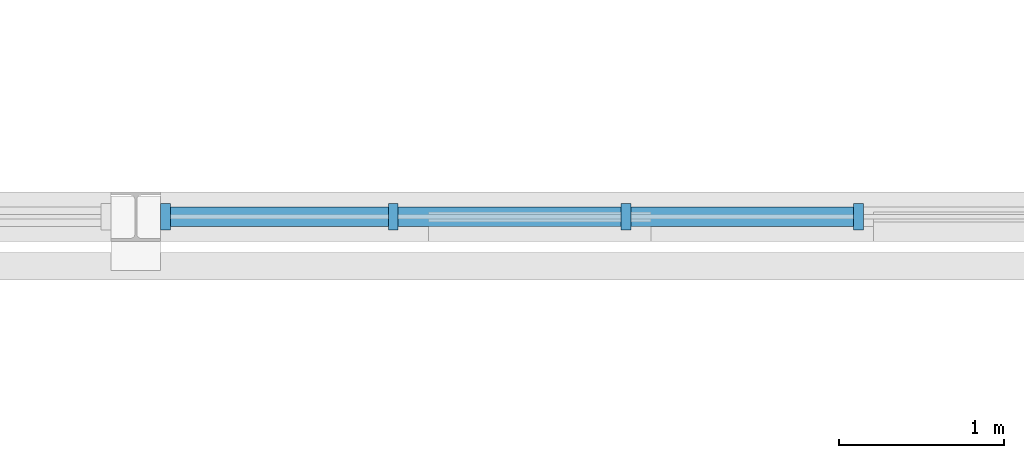
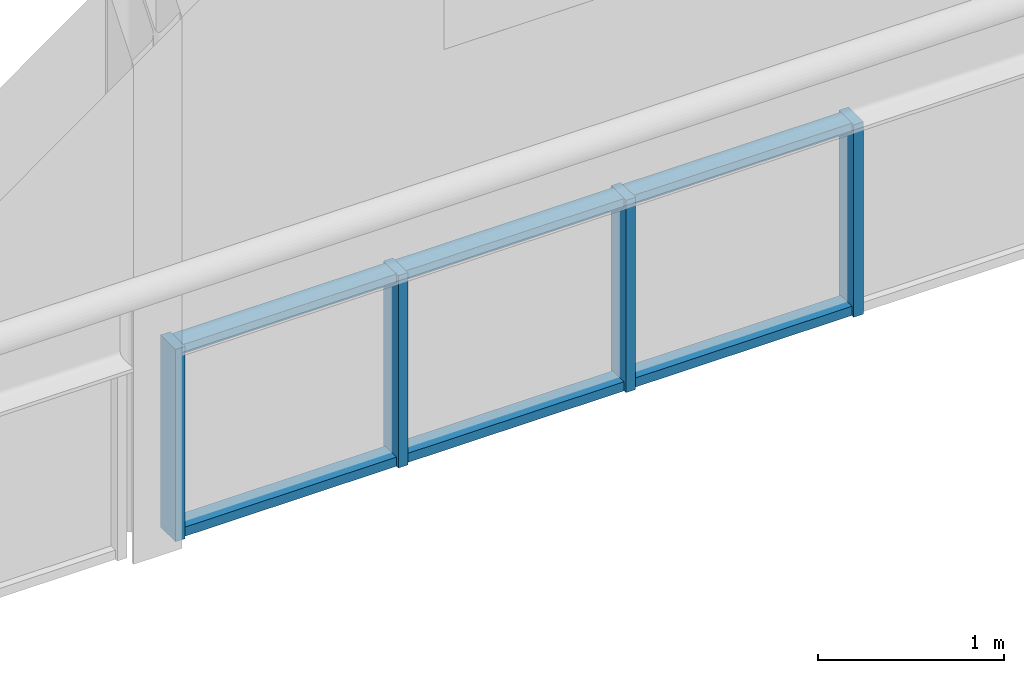
# One storey, part 12 of 65: 10 members, 1 element without a shape of its own.
"""IFC4 building model written with IfcOpenShell, lengths in metres."""

from ifc_helpers import new_model, si_unit, direction, frame, origin, origin_2d, place, context, subcontext, project, spatial, rectangle, extrude, material, material_profile, profile_set, type_object, element, aggregate, save


model = new_model("IFC4")

# Units and contexts
model_context = context("Model", 3, precision=1e-05, world=origin(), true_north=direction((0.0, 1.0)))
body_context = subcontext(model_context, "Body", "Model", "MODEL_VIEW")
ifc_project = project(units=[si_unit("LENGTHUNIT", "METRE"), si_unit("AREAUNIT", "SQUARE_METRE"), si_unit("VOLUMEUNIT", "CUBIC_METRE"), si_unit("PLANEANGLEUNIT", "RADIAN"), si_unit("MASSUNIT", "GRAM", prefix="KILO")], contexts=[model_context])

# Site, building, storey
site_placement = place(None, origin())
site = spatial("IfcSite", under=ifc_project, at=site_placement, CompositionType="ELEMENT")
building_placement = place(site_placement, origin())
building = spatial("IfcBuilding", under=site, at=building_placement, Name="Elbe Cascade School", CompositionType="ELEMENT")
storey_placement = place(building_placement, frame((0.0, 0.0, 11.699951171875)))
storey = spatial("IfcBuildingStorey", under=building, at=storey_placement, Name="L03", CompositionType="ELEMENT", Elevation=11.699951171875)

# Curtain wall, members
ifc_material_1 = material(Name="Glass - double glazed low-E", Category="glass")
curtain_wall_type = type_object("IfcCurtainWallType", Name="Hall gable curtain wall", PredefinedType="NOTDEFINED", material=ifc_material_1)
curtain_wall_placement = place(storey_placement, origin())
curtain_wall = element("IfcCurtainWall", 1, at=curtain_wall_placement, inside=storey, type_object=curtain_wall_type, Name="Gable curtain wall S3", PredefinedType="NOTDEFINED")
ifc_material_2 = material(Name="Aluminium - bronze anodised", Category="aluminium")
ifc_material_profile_1 = material_profile(ifc_material_2, rectangle(XDim=0.159912109375, YDim=0.06005859375, at=origin_2d()), Name="Alu 60x160")
ifc_profile_set_1 = profile_set([ifc_material_profile_1], Name="Aluminium - bronze anodised")
member_type_1 = type_object("IfcMemberType", Name="Hall gable mullion 60x160", PredefinedType="MULLION", material=ifc_profile_set_1)
member_1_placement = place(storey_placement, frame((34.179931640625, 41.300048828125, 0.0), z_axis=(0.0, 0.0, 1.0), x_axis=(0.0, 1.0, 0.0)))
member_1 = element("IfcMember", 2, at=member_1_placement, type_object=member_type_1, Name="CW6 mullion 1", PredefinedType="MULLION", context=body_context, shape_type="SweptSolid", body=[
    extrude(rectangle(XDim=0.159912109375, YDim=0.06005859375, at=origin_2d()), origin(), (0.0, 0.0, 1.0), 1.260009765625),
])
member_2_placement = place(storey_placement, frame((35.56103515625, 41.300048828125, 0.0), z_axis=(0.0, 0.0, 1.0), x_axis=(0.0, 1.0, 0.0)))
member_2 = element("IfcMember", 3, at=member_2_placement, type_object=member_type_1, Name="CW6 mullion 2", PredefinedType="MULLION", context=body_context, shape_type="SweptSolid", body=[
    extrude(rectangle(XDim=0.159912109375, YDim=0.06005859375, at=origin_2d()), origin(), (0.0, 0.0, 1.0), 1.260009765625),
])
member_3_placement = place(storey_placement, frame((36.97216796875, 41.300048828125, 0.0), z_axis=(0.0, 0.0, 1.0), x_axis=(0.0, 1.0, 0.0)))
member_3 = element("IfcMember", 4, at=member_3_placement, type_object=member_type_1, Name="CW6 mullion 3", PredefinedType="MULLION", context=body_context, shape_type="SweptSolid", body=[
    extrude(rectangle(XDim=0.159912109375, YDim=0.06005859375, at=origin_2d()), origin(), (0.0, 0.0, 1.0), 1.260009765625),
])
member_4_placement = place(storey_placement, frame((38.38330078125, 41.300048828125, 0.0), z_axis=(0.0, 0.0, 1.0), x_axis=(0.0, 1.0, 0.0)))
member_4 = element("IfcMember", 5, at=member_4_placement, type_object=member_type_1, Name="CW6 mullion 4", PredefinedType="MULLION", context=body_context, shape_type="SweptSolid", body=[
    extrude(rectangle(XDim=0.159912109375, YDim=0.06005859375, at=origin_2d()), origin(), (0.0, 0.0, 1.0), 1.260009765625),
])
ifc_material_3 = material(Name="Aluminium - bronze anodised", Category="aluminium")
ifc_material_profile_2 = material_profile(ifc_material_3, rectangle(XDim=0.1201171875, YDim=0.06005859375, at=origin_2d()), Name="Alu 60x120")
ifc_profile_set_2 = profile_set([ifc_material_profile_2], Name="Aluminium - bronze anodised")
member_type_2 = type_object("IfcMemberType", Name="Hall gable transom 60x120", PredefinedType="USERDEFINED", material=ifc_profile_set_2)
member_5_placement = place(storey_placement, frame((34.2099609375, 41.300048828125, 0.030029296875), z_axis=(1.0, 0.0, 0.0), x_axis=(0.0, 1.0, 0.0)))
member_5 = element("IfcMember", 6, at=member_5_placement, type_object=member_type_2, Name="CW6 transom 1.1", ObjectType="TRANSOM", PredefinedType="USERDEFINED", context=body_context, shape_type="SweptSolid", body=[
    extrude(rectangle(XDim=0.1201171875, YDim=0.06005859375, at=origin_2d()), origin(), (0.0, 0.0, 1.0), 1.321044921875),
])
member_6_placement = place(storey_placement, frame((34.2099609375, 41.300048828125, 1.22998046875), z_axis=(1.0, 0.0, 0.0), x_axis=(0.0, 1.0, 0.0)))
member_6 = element("IfcMember", 7, at=member_6_placement, type_object=member_type_2, Name="CW6 transom 1.2", ObjectType="TRANSOM", PredefinedType="USERDEFINED", context=body_context, shape_type="SweptSolid", body=[
    extrude(rectangle(XDim=0.1201171875, YDim=0.06005859375, at=origin_2d()), origin(), (0.0, 0.0, 1.0), 1.321044921875),
])
member_7_placement = place(storey_placement, frame((35.591064453125, 41.300048828125, 0.030029296875), z_axis=(1.0, 0.0, 0.0), x_axis=(0.0, 1.0, 0.0)))
member_7 = element("IfcMember", 8, at=member_7_placement, type_object=member_type_2, Name="CW6 transom 2.1", ObjectType="TRANSOM", PredefinedType="USERDEFINED", context=body_context, shape_type="SweptSolid", body=[
    extrude(rectangle(XDim=0.1201171875, YDim=0.06005859375, at=origin_2d()), origin(), (0.0, 0.0, 1.0), 1.35107421875),
])
member_8_placement = place(storey_placement, frame((35.591064453125, 41.300048828125, 1.22998046875), z_axis=(1.0, 0.0, 0.0), x_axis=(0.0, 1.0, 0.0)))
member_8 = element("IfcMember", 9, at=member_8_placement, type_object=member_type_2, Name="CW6 transom 2.2", ObjectType="TRANSOM", PredefinedType="USERDEFINED", context=body_context, shape_type="SweptSolid", body=[
    extrude(rectangle(XDim=0.1201171875, YDim=0.06005859375, at=origin_2d()), origin(), (0.0, 0.0, 1.0), 1.35107421875),
])
member_9_placement = place(storey_placement, frame((37.002197265625, 41.300048828125, 0.030029296875), z_axis=(1.0, 0.0, 0.0), x_axis=(0.0, 1.0, 0.0)))
member_9 = element("IfcMember", 10, at=member_9_placement, type_object=member_type_2, Name="CW6 transom 3.1", ObjectType="TRANSOM", PredefinedType="USERDEFINED", context=body_context, shape_type="SweptSolid", body=[
    extrude(rectangle(XDim=0.1201171875, YDim=0.06005859375, at=origin_2d()), origin(), (0.0, 0.0, 1.0), 1.35107421875),
])
member_10_placement = place(storey_placement, frame((37.002197265625, 41.300048828125, 1.22998046875), z_axis=(1.0, 0.0, 0.0), x_axis=(0.0, 1.0, 0.0)))
member_10 = element("IfcMember", 11, at=member_10_placement, type_object=member_type_2, Name="CW6 transom 3.2", ObjectType="TRANSOM", PredefinedType="USERDEFINED", context=body_context, shape_type="SweptSolid", body=[
    extrude(rectangle(XDim=0.1201171875, YDim=0.06005859375, at=origin_2d()), origin(), (0.0, 0.0, 1.0), 1.35107421875),
])
aggregate(curtain_wall, [member_1, member_2, member_3, member_4, member_5, member_6, member_7, member_8, member_9, member_10])

save(model, "model.ifc")
